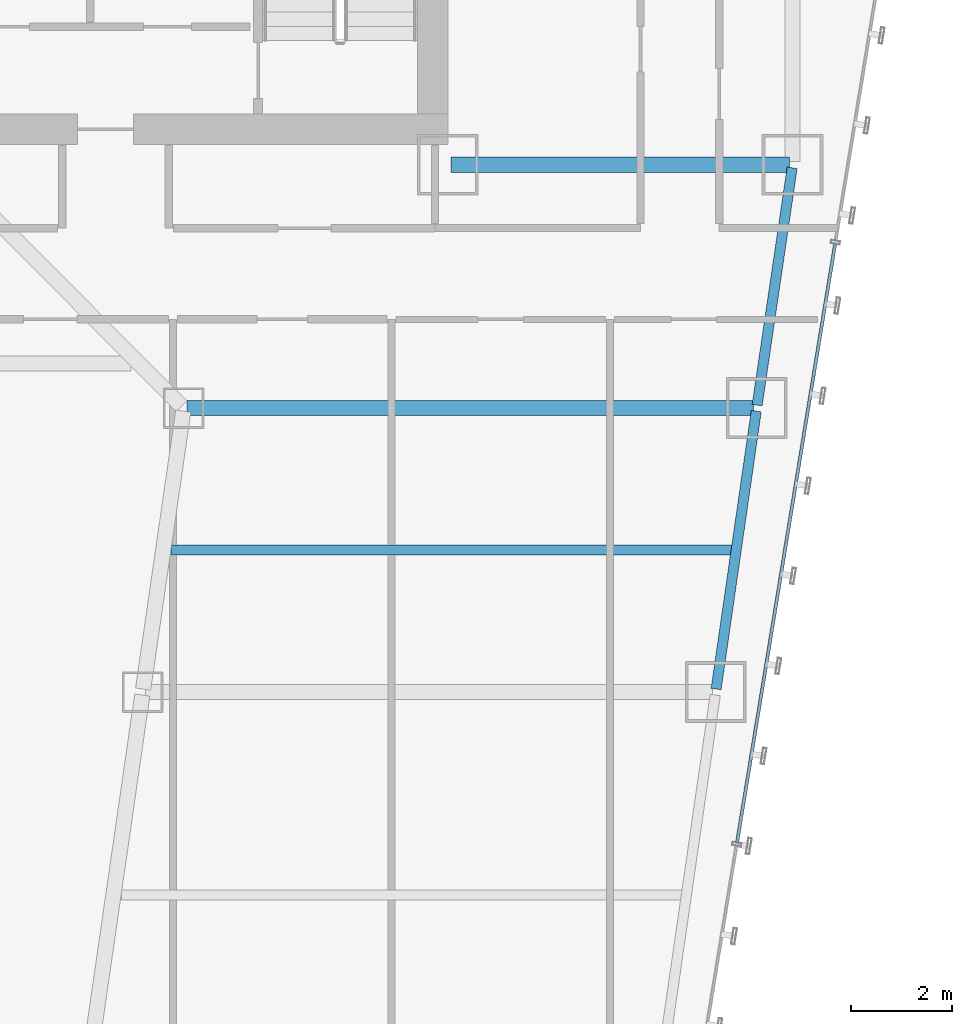
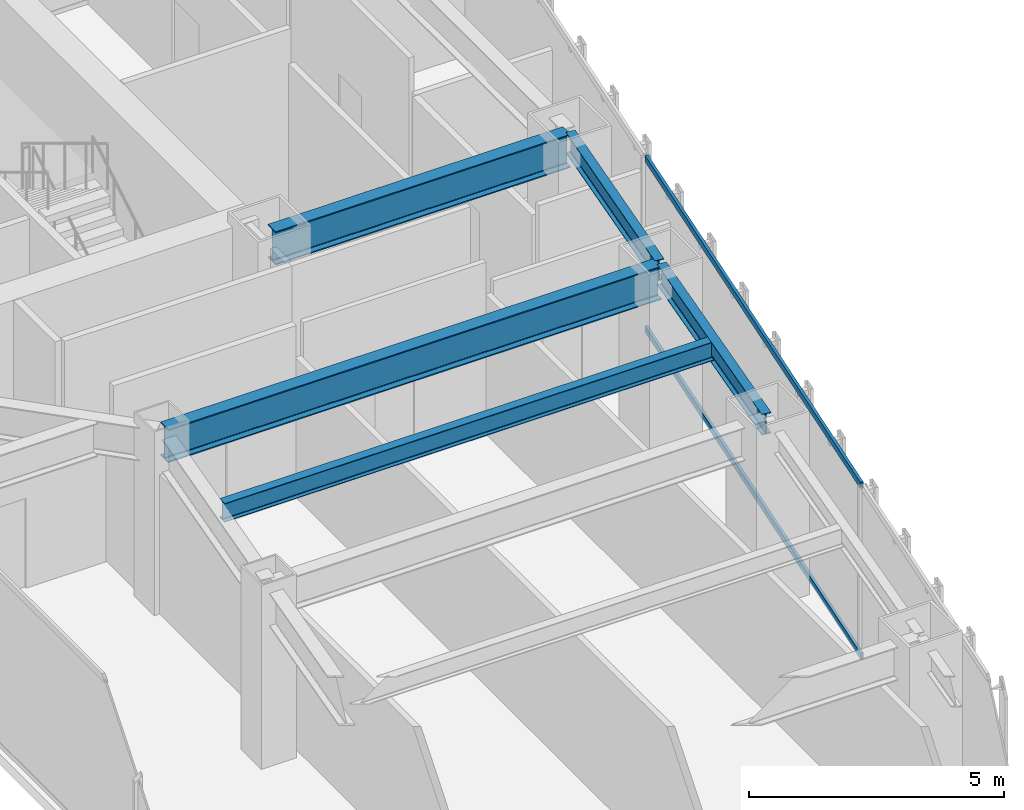
# One storey, part 30 of 47: 5 beams, 2 members, 1 element without a shape of its own.
"""IFC4 building model written with IfcOpenShell, lengths in metres."""

from ifc_helpers import new_model, si_unit, direction, frame, origin, origin_2d, place, context, subcontext, project, spatial, hollow_rectangle, i_section, extrude, material, material_profile, profile_set, type_object, element, aggregate, save


model = new_model("IFC4")

# Units and contexts
model_context = context("Model", 3, precision=1e-05, world=origin(), true_north=direction((0.0, 1.0)))
body_context = subcontext(model_context, "Body", "Model", "MODEL_VIEW")
ifc_project = project(units=[si_unit("LENGTHUNIT", "METRE"), si_unit("AREAUNIT", "SQUARE_METRE"), si_unit("VOLUMEUNIT", "CUBIC_METRE"), si_unit("PLANEANGLEUNIT", "RADIAN"), si_unit("MASSUNIT", "GRAM", prefix="KILO")], contexts=[model_context])

# Site, building, storey
site_placement = place(None, origin())
site = spatial("IfcSite", under=ifc_project, at=site_placement, CompositionType="ELEMENT")
building_placement = place(site_placement, origin())
building = spatial("IfcBuilding", under=site, at=building_placement, Name="Saevonmaru Cultural Tower", CompositionType="ELEMENT")
storey_placement = place(building_placement, frame((0.0, 0.0, 60.39990234375)))
storey = spatial("IfcBuildingStorey", under=building, at=storey_placement, Name="L12", CompositionType="ELEMENT", Elevation=60.39990234375)

# Beams
ifc_material_1 = material(Name="Steel SM420", Category="steel")
ifc_material_profile_1 = material_profile(ifc_material_1, i_section(OverallWidth=0.300048828125, OverallDepth=0.800048828125, WebThickness=0.013916015625, FlangeThickness=0.02587890625, FilletRadius=0.028076171875, at=origin_2d()), Name="H-800x300x14x26")
ifc_profile_set_1 = profile_set([ifc_material_profile_1], Name="Steel SM420")
beam_type_1 = type_object("IfcBeamType", Name="BM-G-H800", PredefinedType="BEAM", material=ifc_profile_set_1)
beam_1_placement = place(storey_placement, frame((46.4599609375, 42.39990234375, 3.75), z_axis=(1.0, 0.0, 0.0), x_axis=(0.0, 1.0, 0.0)))
element("IfcBeam", 1, at=beam_1_placement, inside=storey, type_object=beam_type_1, Name="L12 Core South Girder 5", PredefinedType="BEAM", context=body_context, shape_type="SweptSolid", body=[
    extrude(i_section(OverallWidth=0.300048828125, OverallDepth=0.800048828125, WebThickness=0.013916015625, FlangeThickness=0.02587890625, FilletRadius=0.028076171875, at=origin_2d()), origin(), (0.0, 0.0, 1.0), 6.679931640625),
])
beam_2_placement = place(storey_placement, frame((41.251953125, 37.60009765625, 3.75), z_axis=(1.0, 0.0, 0.0), x_axis=(0.0, 1.0, 0.0)))
element("IfcBeam", 2, at=beam_2_placement, inside=storey, type_object=beam_type_1, Name="L12 East Wing Transverse Girder 6", PredefinedType="BEAM", context=body_context, shape_type="SweptSolid", body=[
    extrude(i_section(OverallWidth=0.300048828125, OverallDepth=0.800048828125, WebThickness=0.013916015625, FlangeThickness=0.02587890625, FilletRadius=0.028076171875, at=origin_2d()), origin(), (0.0, 0.0, 1.0), 11.179931640625),
])
ifc_material_2 = material(Name="Steel SM355", Category="steel")
ifc_material_profile_2 = material_profile(ifc_material_2, i_section(OverallWidth=0.199951171875, OverallDepth=0.449951171875, WebThickness=0.009033203125, FlangeThickness=0.013916015625, FilletRadius=0.01806640625, at=origin_2d()), Name="H-450x200x9x14")
ifc_profile_set_2 = profile_set([ifc_material_profile_2], Name="Steel SM355")
beam_type_2 = type_object("IfcBeamType", Name="BM-J-H450", PredefinedType="JOIST", material=ifc_profile_set_2)
beam_3_placement = place(storey_placement, frame((40.945556640625, 34.800048828125, 3.925048828125), z_axis=(1.0, 0.0, 0.0), x_axis=(0.0, 1.0, 0.0)))
element("IfcBeam", 3, at=beam_3_placement, inside=storey, type_object=beam_type_2, Name="L12 East Wing Floor Joist 5", PredefinedType="JOIST", context=body_context, shape_type="SweptSolid", body=[
    extrude(i_section(OverallWidth=0.199951171875, OverallDepth=0.449951171875, WebThickness=0.009033203125, FlangeThickness=0.013916015625, FilletRadius=0.01806640625, at=origin_2d()), origin(), (0.0, 0.0, 1.0), 11.08203125),
])
ifc_material_profile_3 = material_profile(ifc_material_2, i_section(OverallWidth=0.199951171875, OverallDepth=0.5, WebThickness=0.010009765625, FlangeThickness=0.01611328125, FilletRadius=0.02001953125, at=origin_2d()), Name="H-500x200x10x16")
ifc_profile_set_3 = profile_set([ifc_material_profile_3], Name="Steel SM355")
beam_type_3 = type_object("IfcBeamType", Name="BM-SP-H500", PredefinedType="SPANDREL", material=ifc_profile_set_3)
beam_4_placement = place(storey_placement, frame((51.691650390625, 32.059326171875, 3.900146484375), z_axis=(0.142964121327, 0.989727871697, 0.0), x_axis=(-0.989727871697, 0.142964121327, 0.0)))
element("IfcBeam", 4, at=beam_4_placement, inside=storey, type_object=beam_type_3, Name="L12 East Splayed Spandrel 5", PredefinedType="SPANDREL", context=body_context, shape_type="SweptSolid", body=[
    extrude(i_section(OverallWidth=0.199951171875, OverallDepth=0.5, WebThickness=0.010009765625, FlangeThickness=0.01611328125, FilletRadius=0.02001953125, at=origin_2d()), origin(), (0.0, 0.0, 1.0), 5.5380859375),
])
beam_5_placement = place(storey_placement, frame((52.500732421875, 37.659423828125, 3.900146484375), z_axis=(0.145912860028, 0.989297446312, 0.0), x_axis=(-0.989297446312, 0.145912860028, 0.0)))
element("IfcBeam", 5, at=beam_5_placement, inside=storey, type_object=beam_type_3, Name="L12 East Splayed Spandrel 6", PredefinedType="SPANDREL", context=body_context, shape_type="SweptSolid", body=[
    extrude(i_section(OverallWidth=0.199951171875, OverallDepth=0.5, WebThickness=0.010009765625, FlangeThickness=0.01611328125, FilletRadius=0.02001953125, at=origin_2d()), origin(), (0.0, 0.0, 1.0), 4.731689453125),
])

# Curtain wall, members
ifc_material_3 = material(Name="Satin Bronze Anodised Aluminium", Category="aluminium")
curtain_wall_type = type_object("IfcCurtainWallType", Name="CW-TYP-A", PredefinedType="NOTDEFINED", material=ifc_material_3)
curtain_wall_placement = place(storey_placement, origin())
curtain_wall = element("IfcCurtainWall", 6, at=curtain_wall_placement, inside=storey, type_object=curtain_wall_type, Name="L12 Unitised Curtain Wall E8", PredefinedType="NOTDEFINED")
ifc_material_profile_4 = material_profile(ifc_material_3, hollow_rectangle(XDim=0.06494140625, YDim=0.14990234375, WallThickness=0.00390625, at=origin_2d()), Name="ALU-TRAN-150x65x4")
ifc_profile_set_4 = profile_set([ifc_material_profile_4], Name="Satin Bronze Anodised Aluminium")
member_type = type_object("IfcMemberType", Name="TR-CW-150x65", PredefinedType="USERDEFINED", material=ifc_profile_set_4)
member_1_placement = place(storey_placement, frame((52.105224609375, 29.031982421875, 0.03271484375), z_axis=(0.161701400727, 0.986839732177, 0.0), x_axis=(-0.986839732177, 0.161701400727, 0.0)))
member_1 = element("IfcMember", 7, at=member_1_placement, type_object=member_type, Name="CW-TW-L12-E8 transom 3.1", ObjectType="TRANSOM", PredefinedType="USERDEFINED", context=body_context, shape_type="SweptSolid", body=[
    extrude(hollow_rectangle(XDim=0.06494140625, YDim=0.14990234375, WallThickness=0.00390625, at=origin_2d()), origin(), (0.0, 0.0, 1.0), 11.9638671875),
])
member_2_placement = place(storey_placement, frame((52.105224609375, 29.031982421875, 4.11767578125), z_axis=(0.161701400727, 0.986839732177, 0.0), x_axis=(-0.986839732177, 0.161701400727, 0.0)))
member_2 = element("IfcMember", 8, at=member_2_placement, type_object=member_type, Name="CW-TW-L12-E8 transom 3.2", ObjectType="TRANSOM", PredefinedType="USERDEFINED", context=body_context, shape_type="SweptSolid", body=[
    extrude(hollow_rectangle(XDim=0.06494140625, YDim=0.14990234375, WallThickness=0.00390625, at=origin_2d()), origin(), (0.0, 0.0, 1.0), 11.9638671875),
])
aggregate(curtain_wall, [member_1, member_2])

save(model, "model.ifc")
